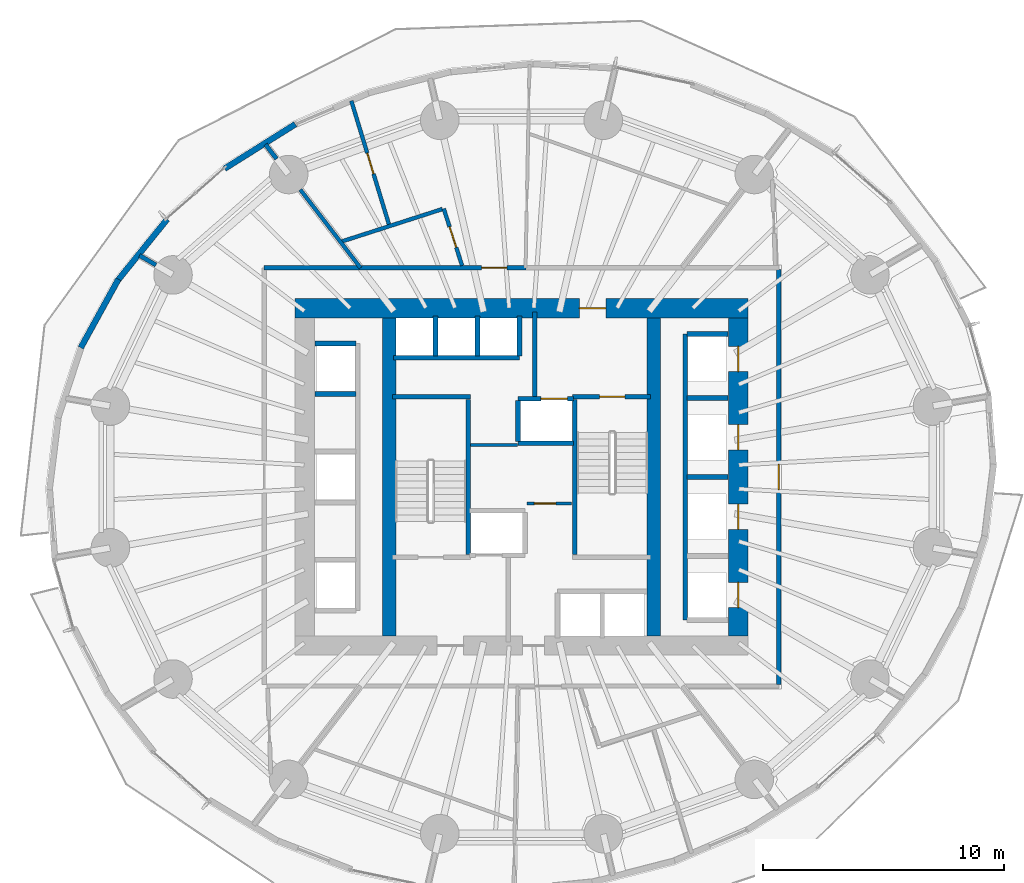
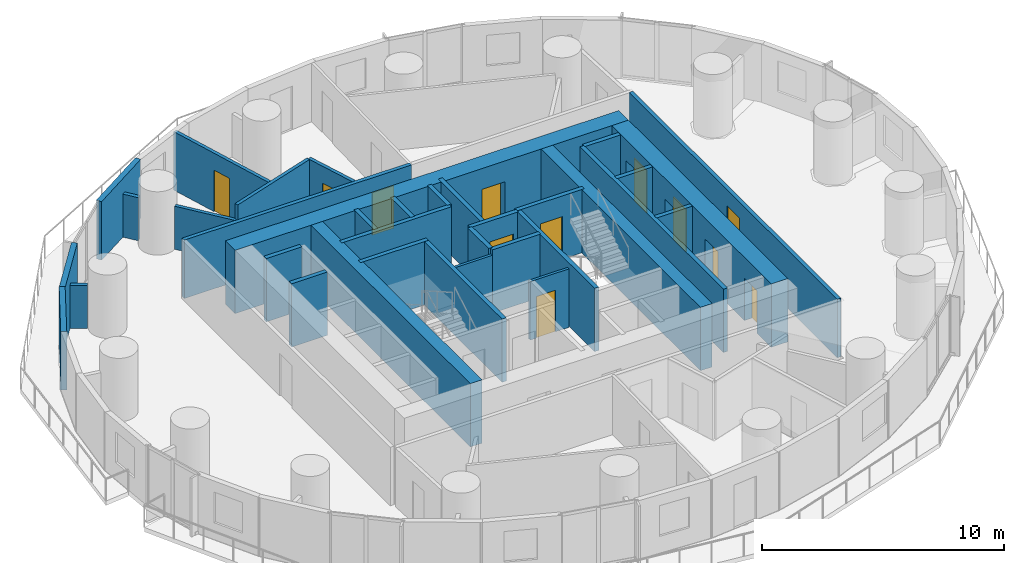
# One storey, part 8 of 13: 35 walls, 12 doors, 12 openings.
"""IFC4 building model written with IfcOpenShell, lengths in metres."""

from ifc_helpers import new_model, si_unit, direction, frame, frame_2d, origin, place, context, subcontext, project, spatial, rectangle, extrude, material, layer, layer_set, type_object, element, fill, save


model = new_model("IFC4")

# Units and contexts
model_context = context("Model", 3, precision=1e-05, world=origin(), true_north=direction((0.0, 1.0)))
body_context = subcontext(model_context, "Body", "Model", "MODEL_VIEW")
ifc_project = project(units=[si_unit("LENGTHUNIT", "METRE"), si_unit("AREAUNIT", "SQUARE_METRE"), si_unit("VOLUMEUNIT", "CUBIC_METRE"), si_unit("PLANEANGLEUNIT", "RADIAN"), si_unit("MASSUNIT", "GRAM", prefix="KILO")], contexts=[model_context])

# Site, building, storey
site_placement = place(None, origin())
site = spatial("IfcSite", under=ifc_project, at=site_placement, CompositionType="ELEMENT")
building_placement = place(site_placement, origin())
building = spatial("IfcBuilding", under=site, at=building_placement, Name="Veldorim Arch Residences", CompositionType="ELEMENT")
storey_placement = place(building_placement, frame((0.0, 0.0, 44.0)))
storey = spatial("IfcBuildingStorey", under=building, at=storey_placement, Name="L12", CompositionType="ELEMENT", Elevation=44.0)

# Wall, opening, door
ifc_material_1 = material(Name="Acoustic Gypsum Board", Category="gypsum")
ifc_layer_1 = layer(ifc_material_1, 0.125, Name="Acoustic Stud Room Partition Wall 125")
ifc_layer_set_1 = layer_set([ifc_layer_1], Name="Acoustic Gypsum Board")
wall_type_1 = type_object("IfcWallType", Name="Acoustic Stud Room Partition Wall 125", PredefinedType="PARTITIONING", material=ifc_layer_set_1)
wall_1_placement = place(storey_placement, frame((32.219970703125, 22.89990234375, 0.0), z_axis=(0.0, 0.0, 1.0), x_axis=(1.0, 0.0, 0.0)))
wall_1 = element("IfcWall", 1, at=wall_1_placement, inside=storey, type_object=wall_type_1, Name="L12 interior wall WL-CA-L12-2", PredefinedType="PARTITIONING", context=body_context, shape_type="SweptSolid", body=[
    extrude(rectangle(XDim=1.860107421875, YDim=0.125, at=frame_2d((0.93017578125, 0.0))), origin(), (0.0, 0.0, 1.0), 2.955078125),
])
opening_1_placement = place(wall_1_placement, frame((0.31005859375, 0.0, 0.0)))
opening_1 = element("IfcOpeningElement", 2, at=opening_1_placement, cuts=wall_1, Name="Opening DR-SVC", PredefinedType="OPENING", context=body_context, shape_type="SweptSolid", body=[
    extrude(rectangle(XDim=0.89990234375, YDim=2.10009765625, at=frame_2d((0.449951171875, 1.050048828125))), frame((0.0, 0.072509765625, 0.0), z_axis=(0.0, -1.0, 0.0), x_axis=(1.0, 0.0, 0.0)), (0.0, 0.0, 1.0), 0.14501953125),
])
ifc_material_2 = material(Name="Fire-Rated Steel", Category="steel")
door_type_1 = type_object("IfcDoorType", Name="Riser, Shelter & Plant Room Rated Steel Door 900x2100", OperationType="SINGLE_SWING_LEFT", PredefinedType="DOOR", material=ifc_material_2)
door_1_placement = place(opening_1_placement, origin())
door_1 = element("IfcDoor", 3, at=door_1_placement, inside=storey, type_object=door_type_1, Name="L12 interior door DR-L12-CA1", OperationType="SINGLE_SWING_RIGHT", OverallHeight=2.10009765625, OverallWidth=0.89990234375, PredefinedType="DOOR", context=body_context, shape_type="SweptSolid", body=[
    extrude(rectangle(XDim=0.89990234375, YDim=2.10009765625, at=frame_2d((0.449951171875, 1.050048828125))), frame((0.0, 0.02490234375, 0.0), z_axis=(0.0, -1.0, 0.0), x_axis=(1.0, 0.0, 0.0)), (0.0, 0.0, 1.0), 0.050048828125),
])
fill(opening_1, door_1)

# Walls
wall_2_placement = place(storey_placement, frame((29.889892578125, 25.330078125, 0.0), z_axis=(0.0, 0.0, 1.0), x_axis=(1.0, 0.0, 0.0)))
element("IfcWall", 4, at=wall_2_placement, inside=storey, type_object=wall_type_1, Name="L12 interior wall WL-CA-L12-N", PredefinedType="PARTITIONING", context=body_context, shape_type="SweptSolid", body=[
    extrude(rectangle(XDim=1.940185546875, YDim=0.125, at=frame_2d((0.97021484375, 0.0))), origin(), (0.0, 0.0, 1.0), 2.955078125),
])
ifc_material_3 = material(Name="Lightweight Masonry Block & Gypsum", Category="masonry")
ifc_layer_2 = layer(ifc_material_3, 0.179931640625, Name="Compartment & Corridor Fire-Rated Party Wall 180")
ifc_layer_set_2 = layer_set([ifc_layer_2], Name="Lightweight Masonry Block & Gypsum")
wall_type_2 = type_object("IfcWallType", Name="Compartment & Corridor Fire-Rated Party Wall 180", PredefinedType="PARTITIONING", material=ifc_layer_set_2)
wall_3_placement = place(storey_placement, frame((21.832763671875, 37.204833984375, 0.0), z_axis=(0.0, 0.0, 1.0), x_axis=(-0.610022678174, 0.792383954982, 0.0)))
element("IfcWall", 5, at=wall_3_placement, inside=storey, type_object=wall_type_2, Name="L12 interior wall WL-PIER-L12-06", PredefinedType="PARTITIONING", context=body_context, shape_type="SweptSolid", body=[
    extrude(rectangle(XDim=0.75634765625, YDim=0.179931640625, at=frame_2d((0.378173828125, 0.0))), origin(), (0.0, 0.0, 1.0), 2.17822265625),
])
wall_4_placement = place(storey_placement, frame((16.822998046875, 32.80029296875, 0.0), z_axis=(0.0, 0.0, 1.0), x_axis=(-0.864901908684, 0.50194092118, 0.0)))
element("IfcWall", 6, at=wall_4_placement, inside=storey, type_object=wall_type_2, Name="L12 interior wall WL-PIER-L12-07", PredefinedType="PARTITIONING", context=body_context, shape_type="SweptSolid", body=[
    extrude(rectangle(XDim=0.786865234375, YDim=0.179931640625, at=frame_2d((0.3935546875, 0.0))), origin(), (0.0, 0.0, 1.0), 2.17822265625),
])

# Wall, opening, door
wall_5_placement = place(storey_placement, frame((42.679931640625, 32.6201171875, 0.0), z_axis=(0.0, 0.0, 1.0), x_axis=(0.0, -1.0, 0.0)))
wall_5 = element("IfcWall", 7, at=wall_5_placement, inside=storey, type_object=wall_type_2, Name="L12 interior wall WL-RES-L12-003", PredefinedType="PARTITIONING", context=body_context, shape_type="SweptSolid", body=[
    extrude(rectangle(XDim=17.240234375, YDim=0.179931640625, at=frame_2d((8.6201171875, 0.0))), origin(), (0.0, 0.0, 1.0), 2.955078125),
])
opening_2_placement = place(wall_5_placement, frame((8.094970703125, 0.0, 0.0)))
opening_2 = element("IfcOpeningElement", 8, at=opening_2_placement, cuts=wall_5, Name="Opening DR-FLT", PredefinedType="OPENING", context=body_context, shape_type="SweptSolid", body=[
    extrude(rectangle(XDim=1.050048828125, YDim=2.14990234375, at=frame_2d((0.52490234375, 1.074951171875))), frame((0.0, 0.099853515625, 0.0), z_axis=(0.0, -1.0, 0.0), x_axis=(1.0, 0.0, 0.0)), (0.0, 0.0, 1.0), 0.199951171875),
])
ifc_material_4 = material(Name="Fire-Rated Timber", Category="wood")
door_type_2 = type_object("IfcDoorType", Name="Apartment Entrance Solid-Core Fire Door 1050x2150", OperationType="SINGLE_SWING_LEFT", PredefinedType="DOOR", material=ifc_material_4)
door_2_placement = place(opening_2_placement, origin())
door_2 = element("IfcDoor", 9, at=door_2_placement, inside=storey, type_object=door_type_2, Name="L12 interior door DR-RES-L12-006", OperationType="SINGLE_SWING_RIGHT", OverallHeight=2.14990234375, OverallWidth=1.050048828125, PredefinedType="DOOR", context=body_context, shape_type="SweptSolid", body=[
    extrude(rectangle(XDim=1.050048828125, YDim=2.14990234375, at=frame_2d((0.52490234375, 1.074951171875))), frame((0.0, 0.02490234375, 0.0), z_axis=(0.0, -1.0, 0.0), x_axis=(1.0, 0.0, 0.0)), (0.0, 0.0, 1.0), 0.050048828125),
])
fill(opening_2, door_2)

wall_6_placement = place(storey_placement, frame((21.320068359375, 32.679931640625, 0.0), z_axis=(0.0, 0.0, 1.0), x_axis=(1.0, 0.0, 0.0)))
wall_6 = element("IfcWall", 10, at=wall_6_placement, inside=storey, type_object=wall_type_2, Name="L12 interior wall WL-RES-L12-004", PredefinedType="PARTITIONING", context=body_context, shape_type="SweptSolid", body=[
    extrude(rectangle(XDim=10.86865234375, YDim=0.179931640625, at=frame_2d((5.434326171875, 0.0))), origin(), (0.0, 0.0, 1.0), 2.955078125),
])
opening_3_placement = place(wall_6_placement, frame((9.02099609375, 0.0, 0.0)))
opening_3 = element("IfcOpeningElement", 11, at=opening_3_placement, cuts=wall_6, Name="Opening DR-FLT", PredefinedType="OPENING", context=body_context, shape_type="SweptSolid", body=[
    extrude(rectangle(XDim=1.050048828125, YDim=2.14990234375, at=frame_2d((0.52490234375, 1.074951171875))), frame((0.0, 0.099853515625, 0.0), z_axis=(0.0, -1.0, 0.0), x_axis=(1.0, 0.0, 0.0)), (0.0, 0.0, 1.0), 0.199951171875),
])
door_3_placement = place(opening_3_placement, origin())
door_3 = element("IfcDoor", 12, at=door_3_placement, inside=storey, type_object=door_type_2, Name="L12 interior door DR-RES-L12-008", OperationType="SINGLE_SWING_RIGHT", OverallHeight=2.14990234375, OverallWidth=1.050048828125, PredefinedType="DOOR", context=body_context, shape_type="SweptSolid", body=[
    extrude(rectangle(XDim=1.050048828125, YDim=2.14990234375, at=frame_2d((0.52490234375, 1.074951171875))), frame((0.0, 0.02490234375, 0.0), z_axis=(0.0, -1.0, 0.0), x_axis=(1.0, 0.0, 0.0)), (0.0, 0.0, 1.0), 0.050048828125),
])
fill(opening_3, door_3)

# Walls
ifc_material_5 = material(Name="Concrete C50/60", Category="concrete")
ifc_layer_3 = layer(ifc_material_5, 0.199951171875, Name="Core Stair & Lift Shaft Enclosure Wall 200")
ifc_layer_set_3 = layer_set([ifc_layer_3], Name="Concrete C50/60")
wall_type_3 = type_object("IfcWallType", Name="Core Stair & Lift Shaft Enclosure Wall 200", PredefinedType="SHEAR", material=ifc_layer_set_3)
wall_7_placement = place(storey_placement, frame((29.7900390625, 20.780029296875, 0.0), z_axis=(0.0, 0.0, 1.0), x_axis=(0.0, 1.0, 0.0)))
element("IfcWall", 13, at=wall_7_placement, inside=storey, type_object=wall_type_3, Name="L12 shaft wall WL-SHF-L12-ST1-E", PredefinedType="SHEAR", context=body_context, shape_type="SweptSolid", body=[
    extrude(rectangle(XDim=6.43994140625, YDim=0.199951171875, at=frame_2d((3.219970703125, 0.0))), origin(), (0.0, 0.0, 1.0), 3.199951171875),
])
wall_8_placement = place(storey_placement, frame((26.64990234375, 27.330078125, 0.0), z_axis=(0.0, 0.0, 1.0), x_axis=(1.0, 0.0, 0.0)))
element("IfcWall", 14, at=wall_8_placement, inside=storey, type_object=wall_type_3, Name="L12 shaft wall WL-SHF-L12-ST1-N", PredefinedType="SHEAR", context=body_context, shape_type="SweptSolid", body=[
    extrude(rectangle(XDim=3.239990234375, YDim=0.199951171875, at=frame_2d((1.6201171875, 0.0))), origin(), (0.0, 0.0, 1.0), 3.199951171875),
])
wall_9_placement = place(storey_placement, frame((34.2099609375, 20.780029296875, 0.0), z_axis=(0.0, 0.0, 1.0), x_axis=(0.0, 1.0, 0.0)))
element("IfcWall", 15, at=wall_9_placement, inside=storey, type_object=wall_type_3, Name="L12 shaft wall WL-SHF-L12-ST2-W", PredefinedType="SHEAR", context=body_context, shape_type="SweptSolid", body=[
    extrude(rectangle(XDim=6.43994140625, YDim=0.199951171875, at=frame_2d((3.219970703125, 0.0))), origin(), (0.0, 0.0, 1.0), 3.199951171875),
])

# Wall, opening, door
wall_10_placement = place(storey_placement, frame((34.110107421875, 27.330078125, 0.0), z_axis=(0.0, 0.0, 1.0), x_axis=(1.0, 0.0, 0.0)))
wall_10 = element("IfcWall", 16, at=wall_10_placement, inside=storey, type_object=wall_type_3, Name="L12 shaft wall WL-SHF-L12-ST2-N", PredefinedType="SHEAR", context=body_context, shape_type="SweptSolid", body=[
    extrude(rectangle(XDim=3.239990234375, YDim=0.199951171875, at=frame_2d((1.6201171875, 0.0))), origin(), (0.0, 0.0, 1.0), 3.199951171875),
])
opening_4_placement = place(wall_10_placement, frame((1.135009765625, 0.0, 0.0)))
opening_4 = element("IfcOpeningElement", 17, at=opening_4_placement, cuts=wall_10, Name="Opening DR-ST", PredefinedType="OPENING", context=body_context, shape_type="SweptSolid", body=[
    extrude(rectangle(XDim=1.050048828125, YDim=2.14990234375, at=frame_2d((0.52490234375, 1.074951171875))), frame((0.0, 0.10986328125, 0.0), z_axis=(0.0, -1.0, 0.0), x_axis=(1.0, 0.0, 0.0)), (0.0, 0.0, 1.0), 0.219970703125),
])
ifc_material_6 = material(Name="Fire-Rated Steel", Category="steel")
door_type_3 = type_object("IfcDoorType", Name="Exit Staircase Self-Closing Fire Door 1050x2150", OperationType="SINGLE_SWING_LEFT", PredefinedType="DOOR", material=ifc_material_6)
door_4_placement = place(opening_4_placement, origin())
door_4 = element("IfcDoor", 18, at=door_4_placement, inside=storey, type_object=door_type_3, Name="L12 interior door DR-L12-ST2", OperationType="SINGLE_SWING_RIGHT", OverallHeight=2.14990234375, OverallWidth=1.050048828125, PredefinedType="DOOR", context=body_context, shape_type="SweptSolid", body=[
    extrude(rectangle(XDim=1.050048828125, YDim=2.14990234375, at=frame_2d((0.52490234375, 1.074951171875))), frame((0.0, 0.02490234375, 0.0), z_axis=(0.0, -1.0, 0.0), x_axis=(1.0, 0.0, 0.0)), (0.0, 0.0, 1.0), 0.050048828125),
])
fill(opening_4, door_4)

# Wall
wall_11_placement = place(storey_placement, frame((32.550048828125, 27.35009765625, 0.0), z_axis=(0.0, 0.0, 1.0), x_axis=(0.0, 1.0, 0.0)))
element("IfcWall", 19, at=wall_11_placement, inside=storey, type_object=wall_type_3, Name="L12 shaft wall WL-FFL2-L12-W", PredefinedType="SHEAR", context=body_context, shape_type="SweptSolid", body=[
    extrude(rectangle(XDim=3.5, YDim=0.199951171875, at=frame_2d((1.75, 0.0))), origin(), (0.0, 0.0, 1.0), 3.199951171875),
])

# Wall, opening, door
wall_12_placement = place(storey_placement, frame((31.85009765625, 27.25, 0.0), z_axis=(0.0, 0.0, 1.0), x_axis=(1.0, 0.0, 0.0)))
wall_12 = element("IfcWall", 20, at=wall_12_placement, inside=storey, type_object=wall_type_3, Name="L12 shaft wall WL-FL02-L12-N", PredefinedType="SHEAR", context=body_context, shape_type="SweptSolid", body=[
    extrude(rectangle(XDim=2.2998046875, YDim=0.199951171875, at=frame_2d((1.14990234375, 0.0))), origin(), (0.0, 0.0, 1.0), 3.199951171875),
])
opening_5_placement = place(wall_12_placement, frame((0.949951171875, 0.0, 0.0)))
opening_5 = element("IfcOpeningElement", 21, at=opening_5_placement, cuts=wall_12, Name="Opening LD-FF", PredefinedType="OPENING", context=body_context, shape_type="SweptSolid", body=[
    extrude(rectangle(XDim=1.10009765625, YDim=2.14990234375, at=frame_2d((0.550048828125, 1.074951171875))), frame((0.0, 0.10986328125, 0.0), z_axis=(0.0, -1.0, 0.0), x_axis=(1.0, 0.0, 0.0)), (0.0, 0.0, 1.0), 0.219970703125),
])
ifc_material_7 = material(Name="Stainless Steel", Category="steel")
door_type_4 = type_object("IfcDoorType", Name="Firefighting Lift Bi-Parting Sliding Landing Door 1100x2150", OperationType="DOUBLE_DOOR_SLIDING", PredefinedType="DOOR", material=ifc_material_7)
door_5_placement = place(opening_5_placement, origin())
door_5 = element("IfcDoor", 22, at=door_5_placement, inside=storey, type_object=door_type_4, Name="L12 lift landing door LD-L12-FL02", OperationType="DOUBLE_DOOR_SLIDING", OverallHeight=2.14990234375, OverallWidth=1.10009765625, PredefinedType="DOOR", context=body_context, shape_type="SweptSolid", body=[
    extrude(rectangle(XDim=1.10009765625, YDim=2.14990234375, at=frame_2d((0.550048828125, 1.074951171875))), frame((0.0, 0.02490234375, 0.0), z_axis=(0.0, -1.0, 0.0), x_axis=(1.0, 0.0, 0.0)), (0.0, 0.0, 1.0), 0.050048828125),
])
fill(opening_5, door_5)

# Walls
wall_13_placement = place(storey_placement, frame((31.85009765625, 25.39990234375, 0.0), z_axis=(0.0, 0.0, 1.0), x_axis=(1.0, 0.0, 0.0)))
element("IfcWall", 23, at=wall_13_placement, inside=storey, type_object=wall_type_3, Name="L12 shaft wall WL-FL02-L12-S", PredefinedType="SHEAR", context=body_context, shape_type="SweptSolid", body=[
    extrude(rectangle(XDim=2.2998046875, YDim=0.199951171875, at=frame_2d((1.14990234375, 0.0))), origin(), (0.0, 0.0, 1.0), 3.199951171875),
])
wall_14_placement = place(storey_placement, frame((31.85009765625, 25.469970703125, 0.0), z_axis=(0.0, 0.0, 1.0), x_axis=(0.0, 1.0, 0.0)))
element("IfcWall", 24, at=wall_14_placement, inside=storey, type_object=wall_type_3, Name="L12 shaft wall WL-FL02-L12-W", PredefinedType="SHEAR", context=body_context, shape_type="SweptSolid", body=[
    extrude(rectangle(XDim=1.7099609375, YDim=0.199951171875, at=frame_2d((0.85498046875, 0.0))), origin(), (0.0, 0.0, 1.0), 3.199951171875),
])
wall_15_placement = place(storey_placement, frame((38.800048828125, 18.06005859375, 0.0), z_axis=(0.0, 0.0, 1.0), x_axis=(0.0, 1.0, 0.0)))
element("IfcWall", 25, at=wall_15_placement, inside=storey, type_object=wall_type_3, Name="L12 shaft wall WL-B1-L12-W", PredefinedType="SHEAR", context=body_context, shape_type="SweptSolid", body=[
    extrude(rectangle(XDim=11.8798828125, YDim=0.199951171875, at=frame_2d((5.93994140625, 0.0))), origin(), (0.0, 0.0, 1.0), 3.199951171875),
])
for number, where, z_axis, x_axis, name in (
    (26, (38.8701171875, 29.93994140625, 0.0), (0.0, 0.0, 1.0), (1.0, 0.0, 0.0), "L12 shaft wall WL-B1-L12-N"),
    (27, (38.8701171875, 24.0, 0.0), (0.0, 0.0, 1.0), (1.0, 0.0, 0.0), "L12 shaft wall WL-B1-L12-D2"),
    (28, (38.8701171875, 27.27490234375, 0.0), (0.0, 0.0, 1.0), (1.0, 0.0, 0.0), "L12 shaft wall WL-B1-L12-D3"),
    (29, (23.419921875, 29.5400390625, 0.0), (0.0, 0.0, 1.0), (1.0, 0.0, 0.0), "L12 shaft wall WL-B2-L12-N"),
    (30, (23.419921875, 27.43994140625, 0.0), (0.0, 0.0, 1.0), (1.0, 0.0, 0.0), "L12 shaft wall WL-B2-L12-D2B"),
):
    element("IfcWall", number, at=place(storey_placement, frame(where, z_axis=z_axis, x_axis=x_axis)), inside=storey, type_object=wall_type_3, Name=name, PredefinedType="SHEAR", context=body_context, shape_type="SweptSolid", body=[
        extrude(rectangle(XDim=1.7099609375, YDim=0.199951171875, at=frame_2d((0.85498046875, 0.0))), origin(), (0.0, 0.0, 1.0), 3.199951171875),
    ])
wall_16_placement = place(storey_placement, frame((26.679931640625, 28.949951171875, 0.0), z_axis=(0.0, 0.0, 1.0), x_axis=(1.0, 0.0, 0.0)))
element("IfcWall", 31, at=wall_16_placement, inside=storey, type_object=wall_type_3, Name="L12 shaft wall WL-B3-L12-S", PredefinedType="SHEAR", context=body_context, shape_type="SweptSolid", body=[
    extrude(rectangle(XDim=5.239990234375, YDim=0.199951171875, at=frame_2d((2.6201171875, 0.0))), origin(), (0.0, 0.0, 1.0), 3.199951171875),
])
for number, where, z_axis, x_axis, name in (
    (32, (31.919921875, 29.02001953125, 0.0), (0.0, 0.0, 1.0), (0.0, 1.0, 0.0), "L12 shaft wall WL-B3-L12-E"),
    (33, (28.425048828125, 29.02001953125, 0.0), (0.0, 0.0, 1.0), (0.0, 1.0, 0.0), "L12 shaft wall WL-B3-L12-D1"),
    (34, (30.175048828125, 29.02001953125, 0.0), (0.0, 0.0, 1.0), (0.0, 1.0, 0.0), "L12 shaft wall WL-B3-L12-D2"),
):
    element("IfcWall", number, at=place(storey_placement, frame(where, z_axis=z_axis, x_axis=x_axis)), inside=storey, type_object=wall_type_3, Name=name, PredefinedType="SHEAR", context=body_context, shape_type="SweptSolid", body=[
        extrude(rectangle(XDim=1.659912109375, YDim=0.199951171875, at=frame_2d((0.830078125, 0.0))), origin(), (0.0, 0.0, 1.0), 3.199951171875),
    ])
ifc_material_8 = material(Name="Concrete C60/75", Category="concrete")
ifc_layer_4 = layer(ifc_material_8, 0.56005859375, Name="Internal Core Shear Web Wall 560")
ifc_layer_set_4 = layer_set([ifc_layer_4], Name="Concrete C60/75")
wall_type_4 = type_object("IfcWallType", Name="Internal Core Shear Web Wall 560", PredefinedType="SHEAR", material=ifc_layer_set_4)
for number, where, z_axis, x_axis, name in (
    (35, (26.5, 17.39990234375, 0.0), (0.0, 0.0, 1.0), (0.0, 1.0, 0.0), "L12 core west internal shear web"),
    (36, (37.5, 17.39990234375, 0.0), (0.0, 0.0, 1.0), (0.0, 1.0, 0.0), "L12 core east internal shear web"),
):
    element("IfcWall", number, at=place(storey_placement, frame(where, z_axis=z_axis, x_axis=x_axis)), inside=storey, type_object=wall_type_4, Name=name, PredefinedType="SHEAR", context=body_context, shape_type="SweptSolid", body=[
        extrude(rectangle(XDim=13.2001953125, YDim=0.56005859375, at=frame_2d((6.60009765625, 0.0))), origin(), (0.0, 0.0, 1.0), 3.199951171875),
    ])

# Wall, opening, door
ifc_material_9 = material(Name="Concrete C60/75", Category="concrete")
ifc_layer_5 = layer(ifc_material_9, 0.800048828125, Name="Lower Central Core Shear Wall 800")
ifc_layer_set_5 = layer_set([ifc_layer_5], Name="Concrete C60/75")
wall_type_5 = type_object("IfcWallType", Name="Lower Central Core Shear Wall 800", PredefinedType="SHEAR", material=ifc_layer_set_5)
wall_17_placement = place(storey_placement, frame((22.60009765625, 31.0, 0.0), z_axis=(0.0, 0.0, 1.0), x_axis=(1.0, 0.0, 0.0)))
wall_17 = element("IfcWall", 37, at=wall_17_placement, inside=storey, type_object=wall_type_5, Name="L12 central core north shear wall", PredefinedType="SHEAR", context=body_context, shape_type="SweptSolid", body=[
    extrude(rectangle(XDim=18.7998046875, YDim=0.800048828125, at=frame_2d((9.39990234375, 0.0))), origin(), (0.0, 0.0, 1.0), 3.199951171875),
])
opening_6_placement = place(wall_17_placement, frame((11.800048828125, 0.0, 0.0)))
opening_6 = element("IfcOpeningElement", 38, at=opening_6_placement, cuts=wall_17, Name="Opening DR-FFL", PredefinedType="OPENING", context=body_context, shape_type="SweptSolid", body=[
    extrude(rectangle(XDim=1.10009765625, YDim=2.14990234375, at=frame_2d((0.550048828125, 1.074951171875))), frame((0.0, 0.409912109375, 0.0), z_axis=(0.0, -1.0, 0.0), x_axis=(1.0, 0.0, 0.0)), (0.0, 0.0, 1.0), 0.820068359375),
])
ifc_material_10 = material(Name="Fire-Rated Steel & Vision Glass", Category="steel")
door_type_5 = type_object("IfcDoorType", Name="Firefighting Lobby Smoke-Stop Fire Door 1100x2150", OperationType="SINGLE_SWING_LEFT", PredefinedType="DOOR", material=ifc_material_10)
door_6_placement = place(opening_6_placement, origin())
door_6 = element("IfcDoor", 39, at=door_6_placement, inside=storey, type_object=door_type_5, Name="L12 interior door DR-L12-FFL2", OperationType="SINGLE_SWING_LEFT", OverallHeight=2.14990234375, OverallWidth=1.10009765625, PredefinedType="DOOR", context=body_context, shape_type="SweptSolid", body=[
    extrude(rectangle(XDim=1.10009765625, YDim=2.14990234375, at=frame_2d((0.550048828125, 1.074951171875))), frame((0.0, 0.02490234375, 0.0), z_axis=(0.0, -1.0, 0.0), x_axis=(1.0, 0.0, 0.0)), (0.0, 0.0, 1.0), 0.050048828125),
])
fill(opening_6, door_6)

# Wall, openings, doors
wall_18_placement = place(storey_placement, frame((41.0, 17.39990234375, 0.0), z_axis=(0.0, 0.0, 1.0), x_axis=(0.0, 1.0, 0.0)))
wall_18 = element("IfcWall", 40, at=wall_18_placement, inside=storey, type_object=wall_type_5, Name="L12 central core east shear wall", PredefinedType="SHEAR", context=body_context, shape_type="SweptSolid", body=[
    extrude(rectangle(XDim=13.2001953125, YDim=0.800048828125, at=frame_2d((6.60009765625, 0.0))), origin(), (0.0, 0.0, 1.0), 3.199951171875),
])
opening_7_placement = place(wall_18_placement, frame((1.175048828125, 0.0, 0.0)))
opening_7 = element("IfcOpeningElement", 41, at=opening_7_placement, cuts=wall_18, Name="Opening LD-PS", PredefinedType="OPENING", context=body_context, shape_type="SweptSolid", body=[
    extrude(rectangle(XDim=1.050048828125, YDim=2.14990234375, at=frame_2d((0.52490234375, 1.074951171875))), frame((0.0, 0.409912109375, 0.0), z_axis=(0.0, -1.0, 0.0), x_axis=(1.0, 0.0, 0.0)), (0.0, 0.0, 1.0), 0.820068359375),
])
opening_8_placement = place(wall_18_placement, frame((4.425048828125, 0.0, 0.0)))
opening_8 = element("IfcOpeningElement", 42, at=opening_8_placement, cuts=wall_18, Name="Opening LD-PS", PredefinedType="OPENING", context=body_context, shape_type="SweptSolid", body=[
    extrude(rectangle(XDim=1.050048828125, YDim=2.14990234375, at=frame_2d((0.52490234375, 1.074951171875))), frame((0.0, 0.409912109375, 0.0), z_axis=(0.0, -1.0, 0.0), x_axis=(1.0, 0.0, 0.0)), (0.0, 0.0, 1.0), 0.820068359375),
])
opening_9_placement = place(wall_18_placement, frame((7.72509765625, 0.0, 0.0)))
opening_9 = element("IfcOpeningElement", 43, at=opening_9_placement, cuts=wall_18, Name="Opening LD-PS", PredefinedType="OPENING", context=body_context, shape_type="SweptSolid", body=[
    extrude(rectangle(XDim=1.050048828125, YDim=2.14990234375, at=frame_2d((0.52490234375, 1.074951171875))), frame((0.0, 0.409912109375, 0.0), z_axis=(0.0, -1.0, 0.0), x_axis=(1.0, 0.0, 0.0)), (0.0, 0.0, 1.0), 0.820068359375),
])
opening_10_placement = place(wall_18_placement, frame((10.97509765625, 0.0, 0.0)))
opening_10 = element("IfcOpeningElement", 44, at=opening_10_placement, cuts=wall_18, Name="Opening LD-PS", PredefinedType="OPENING", context=body_context, shape_type="SweptSolid", body=[
    extrude(rectangle(XDim=1.050048828125, YDim=2.14990234375, at=frame_2d((0.52490234375, 1.074951171875))), frame((0.0, 0.409912109375, 0.0), z_axis=(0.0, -1.0, 0.0), x_axis=(1.0, 0.0, 0.0)), (0.0, 0.0, 1.0), 0.820068359375),
])
ifc_material_11 = material(Name="Stainless Steel", Category="steel")
door_type_6 = type_object("IfcDoorType", Name="Passenger Lift Bi-Parting Sliding Landing Door 1050x2150", OperationType="DOUBLE_DOOR_SLIDING", PredefinedType="DOOR", material=ifc_material_11)
door_7_placement = place(opening_7_placement, origin())
door_7 = element("IfcDoor", 45, at=door_7_placement, inside=storey, type_object=door_type_6, Name="L12 lift landing door LD-L12-PL-01", OperationType="DOUBLE_DOOR_SLIDING", OverallHeight=2.14990234375, OverallWidth=1.050048828125, PredefinedType="DOOR", context=body_context, shape_type="SweptSolid", body=[
    extrude(rectangle(XDim=1.050048828125, YDim=2.14990234375, at=frame_2d((0.52490234375, 1.074951171875))), frame((0.0, 0.02490234375, 0.0), z_axis=(0.0, -1.0, 0.0), x_axis=(1.0, 0.0, 0.0)), (0.0, 0.0, 1.0), 0.050048828125),
])
fill(opening_7, door_7)
door_8_placement = place(opening_8_placement, origin())
door_8 = element("IfcDoor", 46, at=door_8_placement, inside=storey, type_object=door_type_6, Name="L12 lift landing door LD-L12-PL-02", OperationType="DOUBLE_DOOR_SLIDING", OverallHeight=2.14990234375, OverallWidth=1.050048828125, PredefinedType="DOOR", context=body_context, shape_type="SweptSolid", body=[
    extrude(rectangle(XDim=1.050048828125, YDim=2.14990234375, at=frame_2d((0.52490234375, 1.074951171875))), frame((0.0, 0.02490234375, 0.0), z_axis=(0.0, -1.0, 0.0), x_axis=(1.0, 0.0, 0.0)), (0.0, 0.0, 1.0), 0.050048828125),
])
fill(opening_8, door_8)
door_9_placement = place(opening_9_placement, origin())
door_9 = element("IfcDoor", 47, at=door_9_placement, inside=storey, type_object=door_type_6, Name="L12 lift landing door LD-L12-PL-03", OperationType="DOUBLE_DOOR_SLIDING", OverallHeight=2.14990234375, OverallWidth=1.050048828125, PredefinedType="DOOR", context=body_context, shape_type="SweptSolid", body=[
    extrude(rectangle(XDim=1.050048828125, YDim=2.14990234375, at=frame_2d((0.52490234375, 1.074951171875))), frame((0.0, 0.02490234375, 0.0), z_axis=(0.0, -1.0, 0.0), x_axis=(1.0, 0.0, 0.0)), (0.0, 0.0, 1.0), 0.050048828125),
])
fill(opening_9, door_9)
door_10_placement = place(opening_10_placement, origin())
door_10 = element("IfcDoor", 48, at=door_10_placement, inside=storey, type_object=door_type_6, Name="L12 lift landing door LD-L12-PL-04", OperationType="DOUBLE_DOOR_SLIDING", OverallHeight=2.14990234375, OverallWidth=1.050048828125, PredefinedType="DOOR", context=body_context, shape_type="SweptSolid", body=[
    extrude(rectangle(XDim=1.050048828125, YDim=2.14990234375, at=frame_2d((0.52490234375, 1.074951171875))), frame((0.0, 0.02490234375, 0.0), z_axis=(0.0, -1.0, 0.0), x_axis=(1.0, 0.0, 0.0)), (0.0, 0.0, 1.0), 0.050048828125),
])
fill(opening_10, door_10)

# Walls
ifc_material_12 = material(Name="Precast concrete C40/50", Category="concrete")
ifc_layer_6 = layer(ifc_material_12, 0.25, Name="Tower Terracotta Spandrel & Pier Wall 250")
ifc_layer_set_6 = layer_set([ifc_layer_6], Name="Precast concrete C40/50")
wall_type_6 = type_object("IfcWallType", Name="Tower Terracotta Spandrel & Pier Wall 250", PredefinedType="SOLIDWALL", material=ifc_layer_set_6)
wall_19_placement = place(storey_placement, frame((19.674072265625, 36.80322265625, 0.0), z_axis=(0.0, 0.0, 1.0), x_axis=(0.846852351865, 0.531828068215, 0.0)))
element("IfcWall", 49, at=wall_19_placement, inside=storey, type_object=wall_type_6, Name="L12 terracotta facade wall 12", PredefinedType="SOLIDWALL", context=body_context, shape_type="SweptSolid", body=[
    extrude(rectangle(XDim=3.465087890625, YDim=0.25, at=frame_2d((1.732421875, 0.0))), origin(), (0.0, 0.0, 1.0), 2.9599609375),
])
wall_20_placement = place(storey_placement, frame((15.2001953125, 32.116943359375, 0.0), z_axis=(0.0, 0.0, 1.0), x_axis=(0.62854914488, 0.777769871151, 0.0)))
element("IfcWall", 50, at=wall_20_placement, inside=storey, type_object=wall_type_6, Name="L12 terracotta facade wall 14", PredefinedType="SOLIDWALL", context=body_context, shape_type="SweptSolid", body=[
    extrude(rectangle(XDim=3.322998046875, YDim=0.25, at=frame_2d((1.66162109375, 0.0))), origin(), (0.0, 0.0, 1.0), 2.9599609375),
])
wall_21_placement = place(storey_placement, frame((13.7001953125, 29.366455078125, 0.0), z_axis=(0.0, 0.0, 1.0), x_axis=(0.481612512773, 0.876384269337, 0.0)))
element("IfcWall", 51, at=wall_21_placement, inside=storey, type_object=wall_type_6, Name="L12 terracotta facade wall 15", PredefinedType="SOLIDWALL", context=body_context, shape_type="SweptSolid", body=[
    extrude(rectangle(XDim=3.244384765625, YDim=0.25, at=frame_2d((1.6220703125, 0.0))), origin(), (0.0, 0.0, 1.0), 2.9599609375),
])

# Wall, opening, door
ifc_material_13 = material(Name="Moisture-Resistant Gypsum & Stud", Category="gypsum")
ifc_layer_7 = layer(ifc_material_13, 0.159912109375, Name="Wet-Area Moisture-Resistant Plumbing Wall 160")
ifc_layer_set_7 = layer_set([ifc_layer_7], Name="Moisture-Resistant Gypsum & Stud")
wall_type_7 = type_object("IfcWallType", Name="Wet-Area Moisture-Resistant Plumbing Wall 160", PredefinedType="PLUMBINGWALL", material=ifc_layer_set_7)
wall_22_placement = place(storey_placement, frame((26.519287109375, 34.4140625, 0.0), z_axis=(0.0, 0.0, 1.0), x_axis=(-0.291381320828, 0.956606986109, 0.0)))
wall_22 = element("IfcWall", 52, at=wall_22_placement, inside=storey, type_object=wall_type_7, Name="L12 interior wall WL-RES-L12-016", PredefinedType="PLUMBINGWALL", context=body_context, shape_type="SweptSolid", body=[
    extrude(rectangle(XDim=5.438720703125, YDim=0.159912109375, at=frame_2d((2.71923828125, 0.0))), origin(), (0.0, 0.0, 1.0), 2.955078125),
])
opening_11_placement = place(wall_22_placement, frame((2.269287109375, 0.0, 0.0)))
opening_11 = element("IfcOpeningElement", 53, at=opening_11_placement, cuts=wall_22, Name="Opening DR-WC", PredefinedType="OPENING", context=body_context, shape_type="SweptSolid", body=[
    extrude(rectangle(XDim=0.89990234375, YDim=2.10009765625, at=frame_2d((0.449951171875, 1.050048828125))), frame((0.0, 0.08984375, 0.0), z_axis=(0.0, -1.0, 0.0), x_axis=(1.0, 0.0, 0.0)), (0.0, 0.0, 1.0), 0.179931640625),
])
ifc_material_14 = material(Name="Laminate Timber", Category="wood")
door_type_7 = type_object("IfcDoorType", Name="Bathroom & Accessible WC Moisture-Sealed Door 900x2100", OperationType="SINGLE_SWING_LEFT", PredefinedType="DOOR", material=ifc_material_14)
door_11_placement = place(opening_11_placement, origin())
door_11 = element("IfcDoor", 54, at=door_11_placement, inside=storey, type_object=door_type_7, Name="L12 interior door DR-RES-L12-009", OperationType="SINGLE_SWING_LEFT", OverallHeight=2.10009765625, OverallWidth=0.89990234375, PredefinedType="DOOR", context=body_context, shape_type="SweptSolid", body=[
    extrude(rectangle(XDim=0.89990234375, YDim=2.10009765625, at=frame_2d((0.449951171875, 1.050048828125))), frame((0.0, 0.02490234375, 0.0), z_axis=(0.0, -1.0, 0.0), x_axis=(1.0, 0.0, 0.0)), (0.0, 0.0, 1.0), 0.050048828125),
])
fill(opening_11, door_11)

wall_23_placement = place(storey_placement, frame((29.53369140625, 32.775146484375, 0.0), z_axis=(0.0, 0.0, 1.0), x_axis=(-0.306778830533, 0.95178083041, 0.0)))
wall_23 = element("IfcWall", 55, at=wall_23_placement, inside=storey, type_object=wall_type_7, Name="L12 interior wall WL-RES-L12-018", PredefinedType="PLUMBINGWALL", context=body_context, shape_type="SweptSolid", body=[
    extrude(rectangle(XDim=2.484619140625, YDim=0.159912109375, at=frame_2d((1.2421875, 0.0))), origin(), (0.0, 0.0, 1.0), 2.955078125),
])
opening_12_placement = place(wall_23_placement, frame((0.792236328125, 0.0, 0.0)))
opening_12 = element("IfcOpeningElement", 56, at=opening_12_placement, cuts=wall_23, Name="Opening DR-INT", PredefinedType="OPENING", context=body_context, shape_type="SweptSolid", body=[
    extrude(rectangle(XDim=0.89990234375, YDim=2.10009765625, at=frame_2d((0.449951171875, 1.050048828125))), frame((0.0, 0.08984375, 0.0), z_axis=(0.0, -1.0, 0.0), x_axis=(1.0, 0.0, 0.0)), (0.0, 0.0, 1.0), 0.179931640625),
])
ifc_material_15 = material(Name="Engineered Timber", Category="wood")
door_type_8 = type_object("IfcDoorType", Name="Apartment Internal Room Timber Door 900x2100", OperationType="SINGLE_SWING_LEFT", PredefinedType="DOOR", material=ifc_material_15)
door_12_placement = place(opening_12_placement, origin())
door_12 = element("IfcDoor", 57, at=door_12_placement, inside=storey, type_object=door_type_8, Name="L12 interior door DR-RES-L12-012", OperationType="SINGLE_SWING_RIGHT", OverallHeight=2.10009765625, OverallWidth=0.89990234375, PredefinedType="DOOR", context=body_context, shape_type="SweptSolid", body=[
    extrude(rectangle(XDim=0.89990234375, YDim=2.10009765625, at=frame_2d((0.449951171875, 1.050048828125))), frame((0.0, 0.02490234375, 0.0), z_axis=(0.0, -1.0, 0.0), x_axis=(1.0, 0.0, 0.0)), (0.0, 0.0, 1.0), 0.050048828125),
])
fill(opening_12, door_12)

# Walls
wall_24_placement = place(storey_placement, frame((28.714599609375, 35.12158203125, 0.0), z_axis=(0.0, 0.0, 1.0), x_axis=(-0.951790418206, -0.306749082819, 0.0)))
element("IfcWall", 58, at=wall_24_placement, inside=storey, type_object=wall_type_7, Name="L12 interior wall WL-RES-L12-019", PredefinedType="PLUMBINGWALL", context=body_context, shape_type="SweptSolid", body=[
    extrude(rectangle(XDim=4.442626953125, YDim=0.159912109375, at=frame_2d((2.22119140625, 0.0))), origin(), (0.0, 0.0, 1.0), 2.955078125),
])
wall_25_placement = place(storey_placement, frame((25.31689453125, 32.679931640625, 0.0), z_axis=(0.0, 0.0, 1.0), x_axis=(-0.61008798772, 0.792333671656, 0.0)))
element("IfcWall", 59, at=wall_25_placement, inside=storey, type_object=wall_type_7, Name="L12 interior wall WL-RES-L12-020", PredefinedType="PLUMBINGWALL", context=body_context, shape_type="SweptSolid", body=[
    extrude(rectangle(XDim=4.0966796875, YDim=0.159912109375, at=frame_2d((2.04833984375, 0.0))), origin(), (0.0, 0.0, 1.0), 2.17822265625),
])

save(model, "model.ifc")
